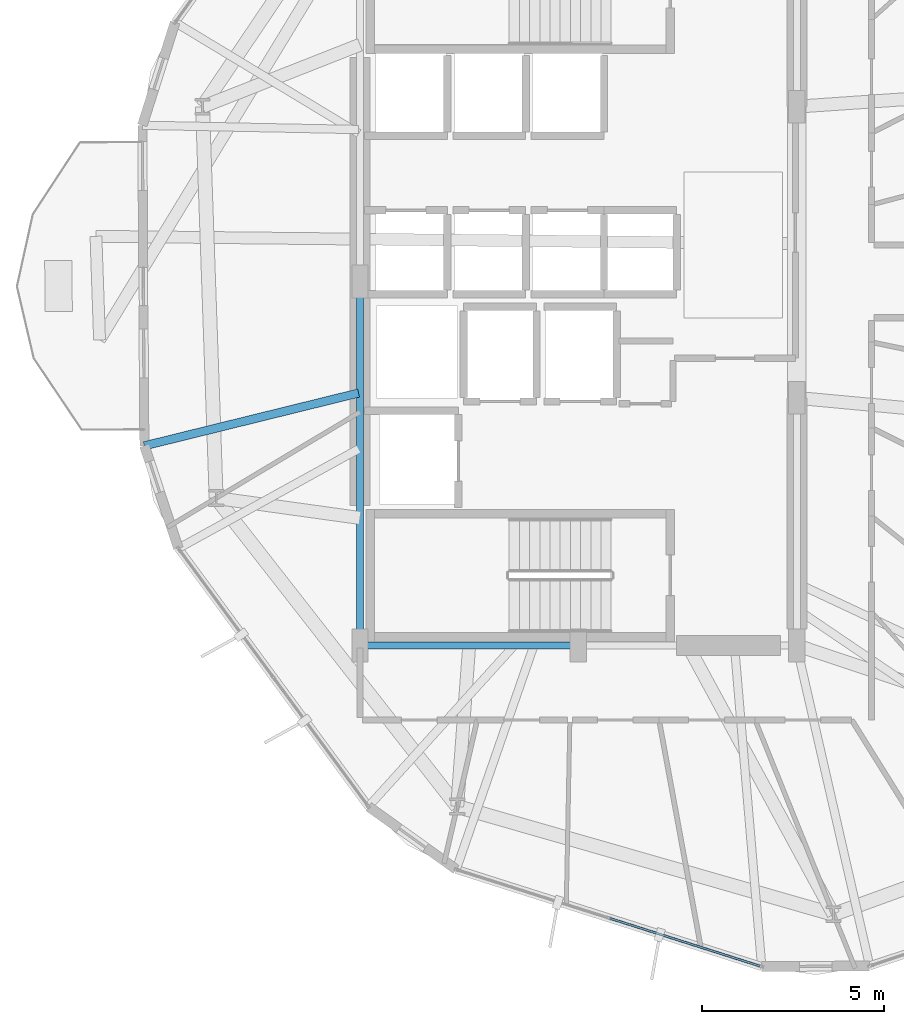
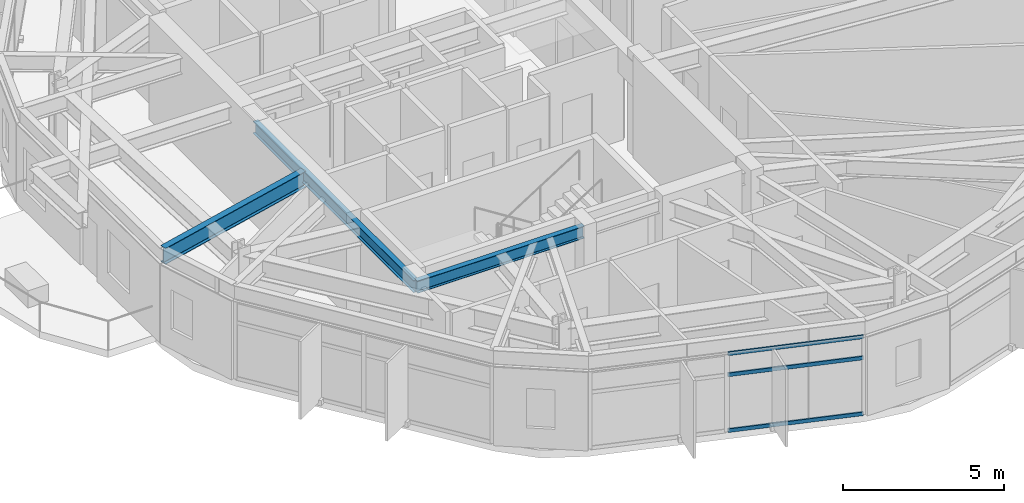
# One storey, part 4 of 27: 3 beams, 3 members, 1 element without a shape of its own.
"""IFC4 building model written with IfcOpenShell, lengths in metres."""

from ifc_helpers import new_model, si_unit, direction, frame, origin, origin_2d, place, context, subcontext, project, spatial, hollow_rectangle, i_section, extrude, material, layer, layer_set, material_profile, profile_set, type_object, element, aggregate, save


model = new_model("IFC4")

# Units and contexts
model_context = context("Model", 3, precision=1e-05, world=origin(), true_north=direction((0.0, 1.0)))
body_context = subcontext(model_context, "Body", "Model", "MODEL_VIEW")
ifc_project = project(units=[si_unit("LENGTHUNIT", "METRE"), si_unit("AREAUNIT", "SQUARE_METRE"), si_unit("VOLUMEUNIT", "CUBIC_METRE"), si_unit("PLANEANGLEUNIT", "RADIAN"), si_unit("MASSUNIT", "GRAM", prefix="KILO")], contexts=[model_context])

# Site, building, storey
site_placement = place(None, origin())
site = spatial("IfcSite", under=ifc_project, at=site_placement, CompositionType="ELEMENT")
building_placement = place(site_placement, origin())
building = spatial("IfcBuilding", under=site, at=building_placement, Name="Soratama Intermodal Tower", CompositionType="ELEMENT")
storey_placement = place(building_placement, frame((0.0, 0.0, 99.10009765625)))
storey = spatial("IfcBuildingStorey", under=building, at=storey_placement, Name="L23", CompositionType="ELEMENT", Elevation=99.10009765625)

# Beams
ifc_material_1 = material(Name="Structural steel ASTM A992 Grade 50", Category="steel")
ifc_material_profile_1 = material_profile(ifc_material_1, i_section(OverallWidth=0.19091796875, OverallDepth=0.4599609375, WebThickness=0.010009765625, FlangeThickness=0.01611328125, FilletRadius=0.010986328125, at=origin_2d()), Name="W18X55")
ifc_profile_set_1 = profile_set([ifc_material_profile_1], Name="Structural steel ASTM A992 Grade 50")
beam_type_1 = type_object("IfcBeamType", Name="BM-FLR-W18X55", PredefinedType="BEAM", material=ifc_profile_set_1)
beam_1_placement = place(storey_placement, frame((32.60009765625, 15.0, 3.369873046875), z_axis=(1.0, 0.0, 0.0), x_axis=(0.0, 1.0, 0.0)))
element("IfcBeam", 1, at=beam_1_placement, inside=storey, type_object=beam_type_1, Name="BM-L23-CRING-01", PredefinedType="BEAM", context=body_context, shape_type="SweptSolid", body=[
    extrude(i_section(OverallWidth=0.19091796875, OverallDepth=0.4599609375, WebThickness=0.010009765625, FlangeThickness=0.01611328125, FilletRadius=0.010986328125, at=origin_2d()), origin(), (0.0, 0.0, 1.0), 6.0),
])
beam_2_placement = place(storey_placement, frame((32.60009765625, 25.0, 3.369873046875), z_axis=(0.0, -1.0, 0.0), x_axis=(1.0, 0.0, 0.0)))
element("IfcBeam", 2, at=beam_2_placement, inside=storey, type_object=beam_type_1, Name="BM-L23-CRING-09", PredefinedType="BEAM", context=body_context, shape_type="SweptSolid", body=[
    extrude(i_section(OverallWidth=0.19091796875, OverallDepth=0.4599609375, WebThickness=0.010009765625, FlangeThickness=0.01611328125, FilletRadius=0.010986328125, at=origin_2d()), origin(), (0.0, 0.0, 1.0), 10.0),
])
ifc_material_2 = material(Name="Structural steel ASTM A992 Grade 50", Category="steel")
ifc_material_profile_2 = material_profile(ifc_material_2, i_section(OverallWidth=0.22900390625, OverallDepth=0.612060546875, WebThickness=0.011962890625, FlangeThickness=0.01953125, FilletRadius=0.012939453125, at=origin_2d()), Name="W24X84")
ifc_profile_set_2 = profile_set([ifc_material_profile_2], Name="Structural steel ASTM A992 Grade 50")
beam_type_2 = type_object("IfcBeamType", Name="BM-TIE-W24X84", PredefinedType="BEAM", material=ifc_profile_set_2)
beam_3_placement = place(storey_placement, frame((32.56103515625, 21.93310546875, 3.2939453125), z_axis=(-0.970916999891, -0.239416330527, 0.0), x_axis=(0.239416330527, -0.970916999891, 0.0)))
element("IfcBeam", 3, at=beam_3_placement, inside=storey, type_object=beam_type_2, Name="BM-L23-TIE1-05", PredefinedType="BEAM", context=body_context, shape_type="SweptSolid", body=[
    extrude(i_section(OverallWidth=0.22900390625, OverallDepth=0.612060546875, WebThickness=0.011962890625, FlangeThickness=0.01953125, FilletRadius=0.012939453125, at=origin_2d()), origin(), (0.0, 0.0, 1.0), 6.061279296875),
])

# Curtain wall, members
ifc_material_3 = material(Name="Double-glazed aluminium curtain wall", Category="aluminium")
ifc_layer = layer(ifc_material_3, 0.159912109375)
ifc_layer_set = layer_set([ifc_layer], Name="Double-glazed aluminium curtain wall")
curtain_wall_type = type_object("IfcCurtainWallType", Name="CW-SYS-3", PredefinedType="NOTDEFINED", material=ifc_layer_set)
curtain_wall_placement = place(storey_placement, origin())
curtain_wall = element("IfcCurtainWall", 4, at=curtain_wall_placement, inside=storey, type_object=curtain_wall_type, Name="L23 Faceted Curtain Wall F07", PredefinedType="NOTDEFINED")
ifc_material_4 = material(Name="Anodised aluminium AA 6063-T6", Category="aluminium")
ifc_material_profile_3 = material_profile(ifc_material_4, hollow_rectangle(XDim=0.06494140625, YDim=0.14990234375, WallThickness=0.0048828125, InnerFilletRadius=0.0048828125, OuterFilletRadius=0.010009765625, at=origin_2d()), Name="CWT150X65X5")
ifc_profile_set_3 = profile_set([ifc_material_profile_3], Name="Anodised aluminium AA 6063-T6")
member_type = type_object("IfcMemberType", Name="TT-CWT-1", PredefinedType="USERDEFINED", material=ifc_profile_set_3)
member_1_placement = place(storey_placement, frame((39.46728515625, 7.501953125, 0.02978515625), z_axis=(0.952978542928, -0.303037781008, 0.0), x_axis=(0.303037781008, 0.952978542928, 0.0)))
member_1 = element("IfcMember", 5, at=member_1_placement, type_object=member_type, Name="CW-3 transom 2.1", ObjectType="TRANSOM", PredefinedType="USERDEFINED", context=body_context, shape_type="SweptSolid", body=[
    extrude(hollow_rectangle(XDim=0.06494140625, YDim=0.14990234375, WallThickness=0.0048828125, InnerFilletRadius=0.0048828125, OuterFilletRadius=0.010009765625, at=origin_2d()), origin(), (0.0, 0.0, 1.0), 4.3134765625),
])
member_2_placement = place(storey_placement, frame((39.46728515625, 7.501953125, 2.14990234375), z_axis=(0.952978542928, -0.303037781008, 0.0), x_axis=(0.303037781008, 0.952978542928, 0.0)))
member_2 = element("IfcMember", 6, at=member_2_placement, type_object=member_type, Name="CW-3 transom 2.2", ObjectType="TRANSOM", PredefinedType="USERDEFINED", context=body_context, shape_type="SweptSolid", body=[
    extrude(hollow_rectangle(XDim=0.06494140625, YDim=0.14990234375, WallThickness=0.0048828125, InnerFilletRadius=0.0048828125, OuterFilletRadius=0.010009765625, at=origin_2d()), origin(), (0.0, 0.0, 1.0), 4.3134765625),
])
member_3_placement = place(storey_placement, frame((39.46728515625, 7.501953125, 2.948974609375), z_axis=(0.952978542928, -0.303037781008, 0.0), x_axis=(0.303037781008, 0.952978542928, 0.0)))
member_3 = element("IfcMember", 7, at=member_3_placement, type_object=member_type, Name="CW-3 transom 2.3", ObjectType="TRANSOM", PredefinedType="USERDEFINED", context=body_context, shape_type="SweptSolid", body=[
    extrude(hollow_rectangle(XDim=0.06494140625, YDim=0.14990234375, WallThickness=0.0048828125, InnerFilletRadius=0.0048828125, OuterFilletRadius=0.010009765625, at=origin_2d()), origin(), (0.0, 0.0, 1.0), 4.3134765625),
])
aggregate(curtain_wall, [member_1, member_2, member_3])

save(model, "model.ifc")
